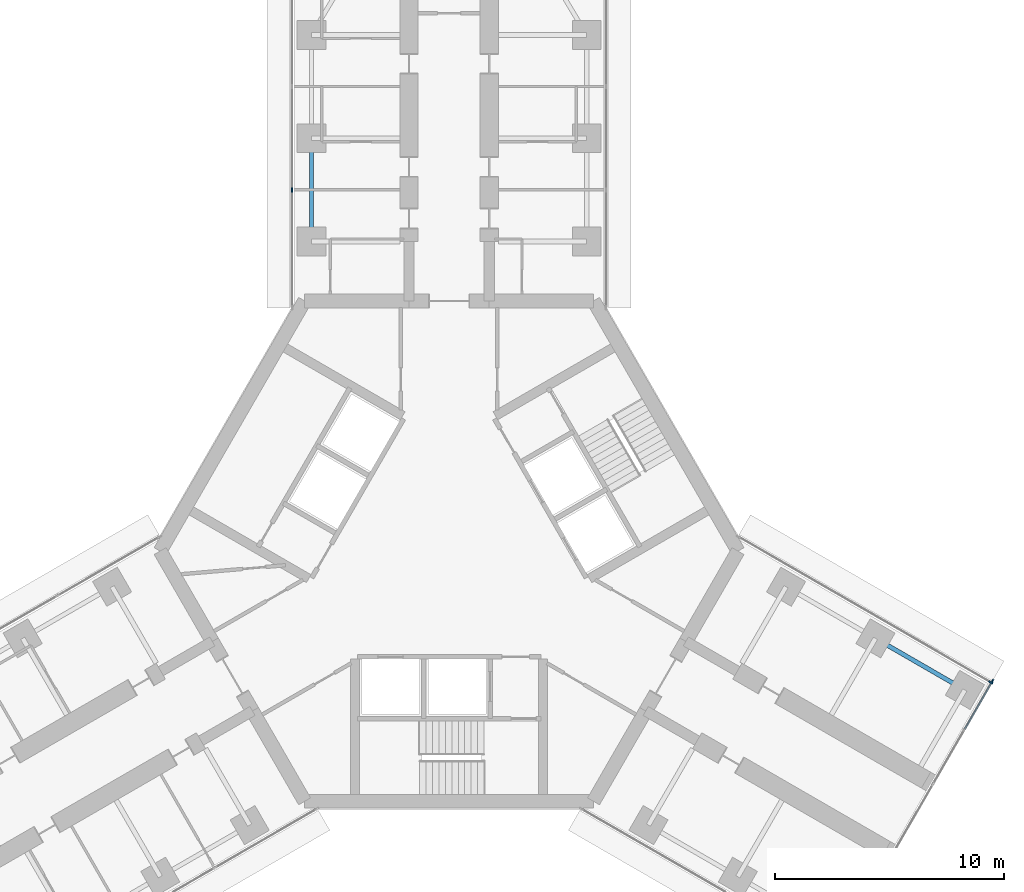
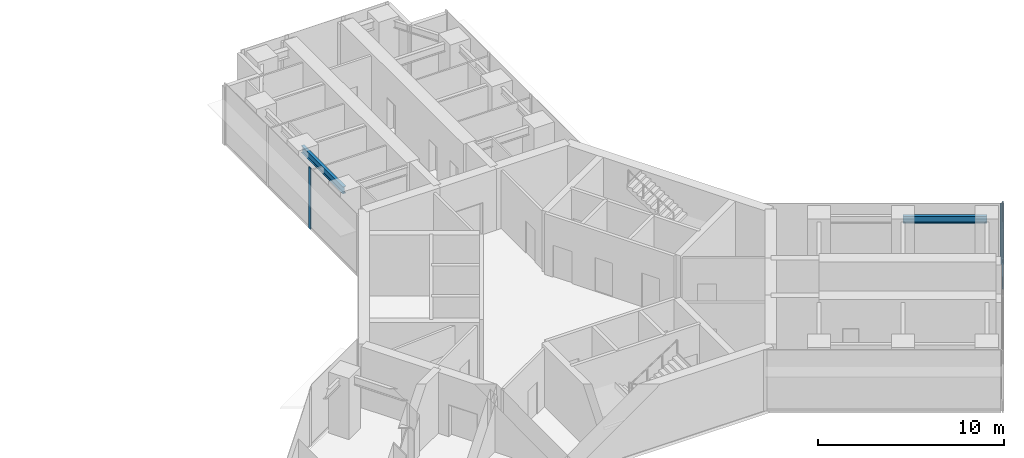
# One storey, part 11 of 23: 4 members, 2 beams, 3 elements without a shape of their own.
"""IFC4 building model written with IfcOpenShell, lengths in metres."""

import ifcopenshell
import ifcopenshell.guid

model = None  # the IFC model being written
_history = None  # IfcOwnerHistory: only IFC2X3 demands one
_inside = {}  # id of a spatial element -> (the spatial element, [elements in it])
_under = {}  # id of a project, library or spatial element -> (it, [spatial elements below it])
_declared = {}  # id of a project -> (the project, [libraries it declares])
_typed = {}  # id of a type object -> (the type object, [elements of that type])
_made_of = {}  # id of a material, layer set ... -> (it, [elements and type objects made of it])


def new_model(schema):
    """Start an empty IFC model of exactly this schema.

    Asked for "IFC4X3", IfcOpenShell would pick the latest addendum, in which some entities
    have other attributes; the version numbers below select the first issue.
    IFC2X3 requires an IfcOwnerHistory on every rooted entity: one is made here for all.
    """
    global model, _history
    if schema == "IFC4X3":
        model = ifcopenshell.file(schema_version=(4, 3, 0, 0))
    else:
        model = ifcopenshell.file(schema=schema)
    _inside.clear()
    _under.clear()
    _declared.clear()
    _typed.clear()
    _made_of.clear()
    _history = None
    if model.schema == "IFC2X3":
        org = make("IfcOrganization", Name="unknown")
        user = make(
            "IfcPersonAndOrganization",
            ThePerson=make("IfcPerson", FamilyName="unknown"),
            TheOrganization=org,
        )
        app = make(
            "IfcApplication",
            ApplicationDeveloper=org,
            Version="unknown",
            ApplicationFullName="unknown",
            ApplicationIdentifier="unknown",
        )
        _history = make(
            "IfcOwnerHistory",
            OwningUser=user,
            OwningApplication=app,
            ChangeAction="ADDED",
            CreationDate=0,
        )
    return model


def make(cls, **values):
    """One entity of the class cls with the attributes given. An attribute that is None is left unset."""
    return model.create_entity(
        cls, **{name: value for name, value in values.items() if value is not None}
    )


def rooted(cls, **values):
    """An entity with a GlobalId (a new one), such as an element, a storey or a relation."""
    return make(cls, GlobalId=ifcopenshell.guid.new(), OwnerHistory=_history, **values)


def si_unit(unit_type, name, prefix=None):
    """IfcSIUnit, for example si_unit("LENGTHUNIT", "METRE", prefix="MILLI")."""
    return make("IfcSIUnit", UnitType=unit_type, Prefix=prefix, Name=name)


def assignment(units):
    """IfcUnitAssignment: the units of a project."""
    return None if units is None else make("IfcUnitAssignment", Units=units)


def point(xyz):
    """IfcCartesianPoint."""
    return None if xyz is None else make("IfcCartesianPoint", Coordinates=xyz)


def direction(xyz):
    """IfcDirection."""
    return None if xyz is None else make("IfcDirection", DirectionRatios=xyz)


def frame(location, z_axis=None, x_axis=None):
    """IfcAxis2Placement3D, a coordinate frame: its origin and axes. An axis left out is left unset."""
    return make(
        "IfcAxis2Placement3D",
        Location=point(location),
        Axis=direction(z_axis),
        RefDirection=direction(x_axis),
    )


def frame_2d(location, x_axis=None):
    """IfcAxis2Placement2D, a coordinate frame in the plane: its origin and x axis."""
    return make(
        "IfcAxis2Placement2D", Location=point(location), RefDirection=direction(x_axis)
    )


def origin():
    """The frame at (0, 0, 0) with its axes left unset."""
    return frame((0.0, 0.0, 0.0))


def origin_2d():
    """The frame at (0, 0) in the plane with its x axis left unset."""
    return frame_2d((0.0, 0.0))


def place(relative_to, where):
    """IfcLocalPlacement: puts the frame where relative to a parent placement (None: the world)."""
    return make(
        "IfcLocalPlacement", PlacementRelTo=relative_to, RelativePlacement=where
    )


def context(
    kind, dimensions, precision=None, world=None, true_north=None, identifier=None
):
    """IfcGeometricRepresentationContext, for example the 3D "Model" context."""
    return make(
        "IfcGeometricRepresentationContext",
        ContextIdentifier=identifier,
        ContextType=kind,
        CoordinateSpaceDimension=dimensions,
        Precision=precision,
        WorldCoordinateSystem=world,
        TrueNorth=true_north,
    )


def subcontext(parent, identifier, kind, view, scale=None):
    """IfcGeometricRepresentationSubContext, for example "Body" below "Model"."""
    return make(
        "IfcGeometricRepresentationSubContext",
        ContextIdentifier=identifier,
        ContextType=kind,
        ParentContext=parent,
        TargetScale=scale,
        TargetView=view,
    )


def project(units=None, contexts=None):
    """IfcProject with its units and contexts."""
    return rooted(
        "IfcProject",
        Name="project",
        RepresentationContexts=contexts,
        UnitsInContext=assignment(units),
    )


def spatial(cls, under=None, at=None, **own):
    """A site, building, storey or space (cls), placed at a placement, below another one or the project."""
    s = rooted(cls, ObjectPlacement=at, **own)
    if under is not None:
        _under.setdefault(under.id(), (under, []))[1].append(s)
    return s


def profile(cls, at=None, kind="AREA", **sizes):
    """A parametric profile (cls). Its sizes go by their IFC names, for example OverallWidth=200.0."""
    return make(cls, ProfileType=kind, Position=at, **sizes)


def rectangle(**sizes):
    """IfcRectangleProfileDef."""
    return profile("IfcRectangleProfileDef", **sizes)


def i_section(**sizes):
    """IfcIShapeProfileDef."""
    return profile("IfcIShapeProfileDef", **sizes)


def extrude(swept, where, along, depth):
    """IfcExtrudedAreaSolid: the profile swept, set in the frame where, extruded along a direction by depth."""
    return make(
        "IfcExtrudedAreaSolid",
        SweptArea=swept,
        Position=where,
        ExtrudedDirection=direction(along),
        Depth=depth,
    )


def shape(context_of_items, identifier, shape_type, items):
    """IfcShapeRepresentation: the items that make up one representation, for example the "Body"."""
    return make(
        "IfcShapeRepresentation",
        ContextOfItems=context_of_items,
        RepresentationIdentifier=identifier,
        RepresentationType=shape_type,
        Items=items,
    )


def material(Name=None, Category=None):
    """IfcMaterial."""
    return make("IfcMaterial", Name=Name, Category=Category)


def material_profile(
    of_material, cross_section, Name=None, Category=None, Priority=None
):
    """IfcMaterialProfile: a cross section and its material."""
    return make(
        "IfcMaterialProfile",
        Name=Name,
        Material=of_material,
        Profile=cross_section,
        Priority=Priority,
        Category=Category,
    )


def profile_set(profiles, Name=None, composite=None):
    """IfcMaterialProfileSet."""
    return make(
        "IfcMaterialProfileSet",
        Name=Name,
        MaterialProfiles=profiles,
        CompositeProfile=composite,
    )


def made_of(thing, what):
    """Note that an element or type object is made of a material, layer set ...; save() writes the relation."""
    if what is not None:
        _made_of.setdefault(what.id(), (what, []))[1].append(thing)
    return thing


def type_object(cls, material=None, **own):
    """A type object (cls), such as IfcWallType, which elements share."""
    return made_of(rooted(cls, **own), material)


def element(
    cls,
    number,
    at=None,
    inside=None,
    cuts=None,
    type_object=None,
    material=None,
    context=None,
    identifier="Body",
    shape_type=None,
    held_by="IfcProductDefinitionShape",
    body=None,
    shapes=None,
    **own,
):
    """One element of the class cls, such as IfcWall. Its Tag is "e" and its number.

    at: its placement. inside: the storey or other place that contains it. cuts: it is an
    opening in that element (IfcRelVoidsElement). A single representation is given by context,
    identifier, shape_type and body (its items); several are given by shapes. held_by: the class
    of the entity that holds the representations. save() writes the other relations.
    """
    e = rooted(cls, Tag="e%d" % number, ObjectPlacement=at, **own)
    if body is not None:
        shapes = [shape(context, identifier, shape_type, body)]
    if shapes is not None:
        e.Representation = make(held_by, Representations=shapes)
    if inside is not None:
        _inside.setdefault(inside.id(), (inside, []))[1].append(e)
    if cuts is not None:
        rooted(
            "IfcRelVoidsElement", RelatingBuildingElement=cuts, RelatedOpeningElement=e
        )
    if type_object is not None:
        _typed.setdefault(type_object.id(), (type_object, []))[1].append(e)
    return made_of(e, material)


def aggregate(whole, parts):
    """IfcRelAggregates: a whole, such as a stair, and the parts it consists of."""
    return rooted("IfcRelAggregates", RelatingObject=whole, RelatedObjects=parts)


def save(model, path):
    """Write the relations noted so far, then the file.

    IfcRelAggregates (storeys below a building ...), IfcRelContainedInSpatialStructure (elements
    in a storey), IfcRelDefinesByType, IfcRelAssociatesMaterial and IfcRelDeclares: one each for
    every whole, place, type object, material and project.
    """
    for whole, parts in _under.values():
        aggregate(whole, parts)
    for where, things in _inside.values():
        rooted(
            "IfcRelContainedInSpatialStructure",
            RelatedElements=things,
            RelatingStructure=where,
        )
    for kind, things in _typed.values():
        rooted("IfcRelDefinesByType", RelatedObjects=things, RelatingType=kind)
    for what, things in _made_of.values():
        rooted("IfcRelAssociatesMaterial", RelatedObjects=things, RelatingMaterial=what)
    for by, libraries in _declared.values():
        rooted("IfcRelDeclares", RelatingContext=by, RelatedDefinitions=libraries)
    model.write(path)


model = new_model("IFC4")

# Units and contexts
model_context = context("Model", 3, precision=1e-05, world=origin(), true_north=direction((0.0, 1.0)))
body_context = subcontext(model_context, "Body", "Model", "MODEL_VIEW")
ifc_project = project(units=[si_unit("LENGTHUNIT", "METRE"), si_unit("AREAUNIT", "SQUARE_METRE"), si_unit("VOLUMEUNIT", "CUBIC_METRE"), si_unit("PLANEANGLEUNIT", "RADIAN"), si_unit("MASSUNIT", "GRAM", prefix="KILO")], contexts=[model_context])

# Site, building, storey
site_placement = place(None, origin())
site = spatial("IfcSite", under=ifc_project, at=site_placement, CompositionType="ELEMENT")
building_placement = place(site_placement, origin())
building = spatial("IfcBuilding", under=site, at=building_placement, Name="Upepo Twin Towers", CompositionType="ELEMENT")
storey_placement = place(building_placement, frame((0.0, 0.0, 157.5)))
storey = spatial("IfcBuildingStorey", under=building, at=storey_placement, Name="L38", CompositionType="ELEMENT", Elevation=157.5)

# Beams
ifc_material_1 = material(Name="Steel S355", Category="steel")
ifc_material_profile_1 = material_profile(ifc_material_1, i_section(OverallWidth=0.1904296875, OverallDepth=0.45703125, WebThickness=0.009033203125, FlangeThickness=0.014404296875, FilletRadius=0.01025390625, at=origin_2d()), Name="UB 457x191x74")
ifc_profile_set_1 = profile_set([ifc_material_profile_1], Name="Steel S355")
beam_type = type_object("IfcBeamType", Name="Beam UB 457x191x74", PredefinedType="BEAM", material=ifc_profile_set_1)
for number, where, z_axis, x_axis, name in (
    (1, (52.5, -4.5, 3.571533203125), (0.0, 1.0, 0.0), (-1.0, 0.0, 0.0), "T2 edge beam AL 13.5-18.0"),
    (2, (77.08837890625, -21.803955078125, 3.571533203125), (0.866031096941, -0.499990139034, 0.0), (0.499990139034, 0.866031096941, 0.0), "T2 edge beam CL 18.0-22.5"),
):
    element("IfcBeam", number, at=place(storey_placement, frame(where, z_axis=z_axis, x_axis=x_axis)), inside=storey, type_object=beam_type, Name=name, PredefinedType="BEAM", context=body_context, shape_type="SweptSolid", body=[
        extrude(i_section(OverallWidth=0.1904296875, OverallDepth=0.45703125, WebThickness=0.009033203125, FlangeThickness=0.014404296875, FilletRadius=0.01025390625, at=origin_2d()), origin(), (0.0, 0.0, 1.0), 4.5),
    ])

# Curtain wall, member
ifc_material_2 = material(Name="Aluminium and fritted glass", Category="aluminium")
curtain_wall_type = type_object("IfcCurtainWallType", Name="Tower curtain wall TW2, fritted glass", PredefinedType="NOTDEFINED", material=ifc_material_2)
curtain_wall_1_placement = place(storey_placement, origin())
curtain_wall_1 = element("IfcCurtainWall", 3, at=curtain_wall_1_placement, inside=storey, type_object=curtain_wall_type, Name="T2 L38 wing A flank L curtain wall", PredefinedType="NOTDEFINED")
ifc_material_3 = material(Name="Aluminium mullion", Category="aluminium")
ifc_material_profile_2 = material_profile(ifc_material_3, rectangle(XDim=0.06494140625, YDim=0.199951171875, at=origin_2d()), Name="MULLION 65x200")
ifc_profile_set_2 = profile_set([ifc_material_profile_2], Name="Aluminium mullion")
member_type_1 = type_object("IfcMemberType", Name="Mullion 65x200 TW2", PredefinedType="MULLION", material=ifc_profile_set_2)
member_1_placement = place(storey_placement, frame((51.64990234375, -2.25, 0.0), z_axis=(0.0, 0.0, 1.0), x_axis=(-1.0, 0.0, 0.0)))
member_1 = element("IfcMember", 4, at=member_1_placement, type_object=member_type_1, Name="T2 L38 wing A flank L curtain wall mullion 2", PredefinedType="MULLION", context=body_context, shape_type="SweptSolid", body=[
    extrude(rectangle(XDim=0.06494140625, YDim=0.199951171875, at=origin_2d()), origin(), (0.0, 0.0, 1.0), 4.0),
])
aggregate(curtain_wall_1, [member_1])

curtain_wall_2_placement = place(storey_placement, origin())
curtain_wall_2 = element("IfcCurtainWall", 5, at=curtain_wall_2_placement, inside=storey, type_object=curtain_wall_type, Name="T2 L38 wing C flank L curtain wall", PredefinedType="NOTDEFINED")
member_2_placement = place(storey_placement, frame((82.11865234375, -23.7265625, 0.0), z_axis=(0.0, 0.0, 1.0), x_axis=(0.50000000792, 0.866025399212, 0.0)))
member_2 = element("IfcMember", 6, at=member_2_placement, type_object=member_type_1, Name="T2 L38 wing C flank L curtain wall mullion 2", PredefinedType="MULLION", context=body_context, shape_type="SweptSolid", body=[
    extrude(rectangle(XDim=0.06494140625, YDim=0.199951171875, at=origin_2d()), origin(), (0.0, 0.0, 1.0), 4.0),
])
aggregate(curtain_wall_2, [member_2])

# Curtain wall, members
curtain_wall_3_placement = place(storey_placement, origin())
curtain_wall_3 = element("IfcCurtainWall", 7, at=curtain_wall_3_placement, inside=storey, type_object=curtain_wall_type, Name="T2 L38 wing C nose curtain wall", PredefinedType="NOTDEFINED")
member_3_placement = place(storey_placement, frame((82.180419921875, -23.684326171875, 0.0), z_axis=(0.0, 0.0, 1.0), x_axis=(-0.866025419745, 0.499999972355, 0.0)))
member_3 = element("IfcMember", 8, at=member_3_placement, type_object=member_type_1, Name="T2 L38 wing C nose curtain wall mullion 6", PredefinedType="MULLION", context=body_context, shape_type="SweptSolid", body=[
    extrude(rectangle(XDim=0.06494140625, YDim=0.199951171875, at=origin_2d()), origin(), (0.0, 0.0, 1.0), 4.0),
])
ifc_material_4 = material(Name="Aluminium transom", Category="aluminium")
ifc_material_profile_3 = material_profile(ifc_material_4, rectangle(XDim=0.06494140625, YDim=0.14990234375, at=origin_2d()), Name="TRANSOM 65x150")
ifc_profile_set_3 = profile_set([ifc_material_profile_3], Name="Aluminium transom")
member_type_2 = type_object("IfcMemberType", Name="Transom 65x150 TW2", PredefinedType="USERDEFINED", material=ifc_profile_set_3)
member_4_placement = place(storey_placement, frame((80.988037109375, -25.749755859375, 0.074951171875), z_axis=(0.50000093428, 0.866024864377, 0.0), x_axis=(-0.866024864377, 0.50000093428, 0.0)))
member_4 = element("IfcMember", 9, at=member_4_placement, type_object=member_type_2, Name="T2 L38 wing C nose curtain wall transom 5", ObjectType="TRANSOM", PredefinedType="USERDEFINED", context=body_context, shape_type="SweptSolid", body=[
    extrude(rectangle(XDim=0.06494140625, YDim=0.14990234375, at=origin_2d()), origin(), (0.0, 0.0, 1.0), 2.3525390625),
])
aggregate(curtain_wall_3, [member_3, member_4])

save(model, "model.ifc")
